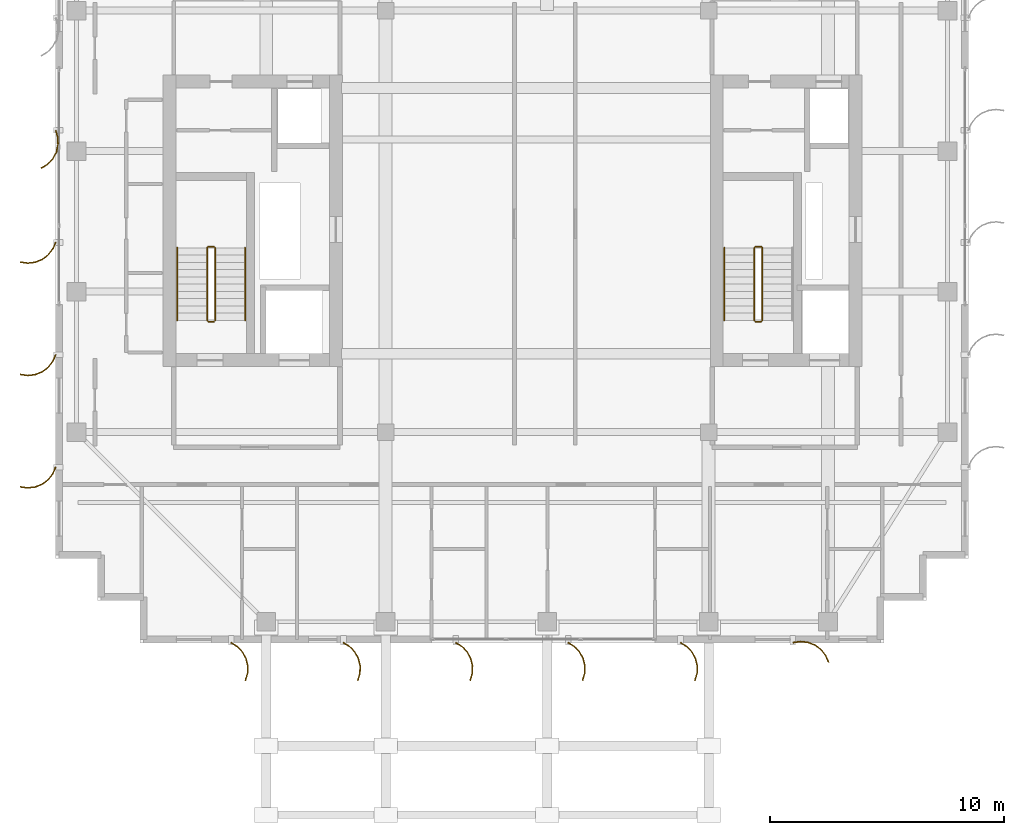
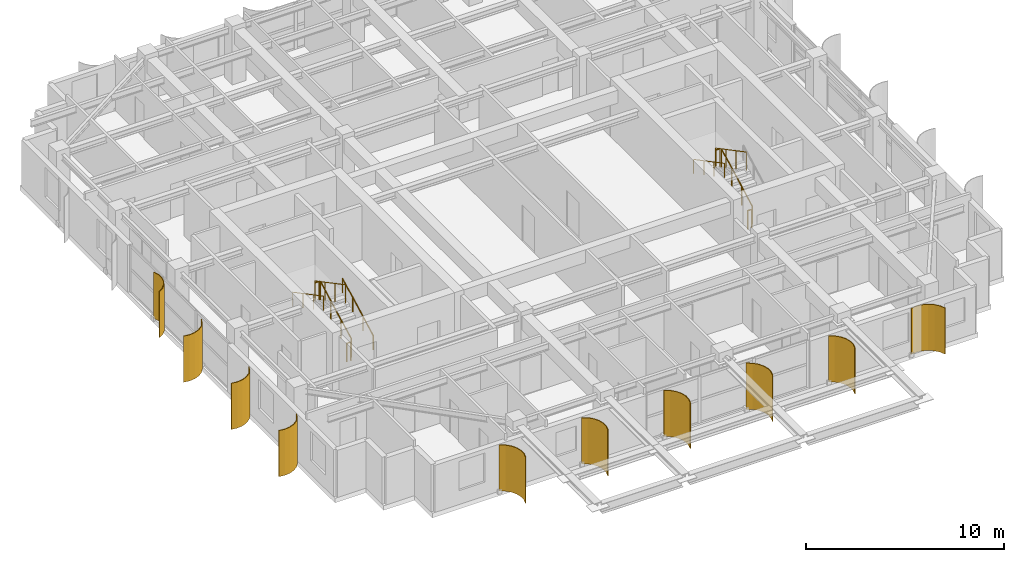
# One storey, part 18 of 19: 11 railings, 10 shading devices.
"""IFC4 building model written with IfcOpenShell, lengths in metres."""

from ifc_helpers import new_model, si_unit, direction, frame, origin, origin_2d, place, context, subcontext, project, spatial, polyline, circle, outline, extrude, source, transform, mapped, material, layer, layer_set, type_object, element, save


model = new_model("IFC4")

# Units and contexts
model_context = context("Model", 3, precision=1e-05, world=origin(), true_north=direction((0.0, 1.0)))
body_context = subcontext(model_context, "Body", "Model", "MODEL_VIEW")
ifc_project = project(units=[si_unit("LENGTHUNIT", "METRE"), si_unit("AREAUNIT", "SQUARE_METRE"), si_unit("VOLUMEUNIT", "CUBIC_METRE"), si_unit("PLANEANGLEUNIT", "RADIAN"), si_unit("MASSUNIT", "GRAM", prefix="KILO")], contexts=[model_context])

# Site, building, storey
site_placement = place(None, origin())
site = spatial("IfcSite", under=ifc_project, at=site_placement, CompositionType="ELEMENT")
building_placement = place(site_placement, origin())
building = spatial("IfcBuilding", under=site, at=building_placement, Name="Khoralis Quay Care Tower", CompositionType="ELEMENT")
storey_placement = place(building_placement, frame((0.0, 0.0, 281.699951171875)))
storey = spatial("IfcBuildingStorey", under=building, at=storey_placement, Name="L74", CompositionType="ELEMENT", Elevation=281.699951171875)

# Railings
ifc_material_1 = material(Name="Brushed stainless steel", Category="steel")
railing_type_1 = type_object("IfcRailingType", Name="RL-GUARD-1150", PredefinedType="GUARDRAIL", material=ifc_material_1)
railing_1_placement = place(storey_placement, frame((9.820068359375, 16.77001953125, 0.16357421875)))
element("IfcRailing", 1, at=railing_1_placement, inside=storey, type_object=railing_type_1, Name="L74 ST-T1 stair guard 1", PredefinedType="GUARDRAIL", context=body_context, shape_type="SweptSolid", body=[
    extrude(circle(Radius=0.02392578125, at=origin_2d()), frame((0.0, 0.0, 1.1259765625), z_axis=(0.0, 0.884348015382, 0.466828220752), x_axis=(-1.0, 0.0, 0.0)), (0.0, 0.0, 1.0), 3.505615234375),
    extrude(circle(Radius=0.02099609375, at=origin_2d()), origin(), (0.0, 0.0, 1.0), 1.101806640625),
    extrude(circle(Radius=0.02099609375, at=origin_2d()), frame((0.0, 1.033447265625, 0.54541015625)), (0.0, 0.0, 1.0), 1.101806640625),
    extrude(circle(Radius=0.02099609375, at=origin_2d()), frame((0.0, 2.066650390625, 1.091064453125)), (0.0, 0.0, 1.0), 1.101806640625),
    extrude(circle(Radius=0.02099609375, at=origin_2d()), frame((0.0, 3.10009765625, 1.636474609375)), (0.0, 0.0, 1.0), 1.101806640625),
])
railing_2_placement = place(storey_placement, frame((9.77001953125, 19.919921875, 1.800048828125)))
element("IfcRailing", 2, at=railing_2_placement, inside=storey, type_object=railing_type_1, Name="L74 ST-T1 stair guard 2", PredefinedType="GUARDRAIL", context=body_context, shape_type="SweptSolid", body=[
    extrude(circle(Radius=0.02392578125, at=origin_2d()), frame((0.0, 0.0, 1.1259765625), z_axis=(-1.0, 0.0, 0.0), x_axis=(0.0, -1.0, 0.0)), (0.0, 0.0, 1.0), 0.239990234375),
    extrude(circle(Radius=0.02099609375, at=origin_2d()), origin(), (0.0, 0.0, 1.0), 1.101806640625),
    extrude(circle(Radius=0.02099609375, at=origin_2d()), frame((-0.239990234375, 0.0, 0.0)), (0.0, 0.0, 1.0), 1.101806640625),
])
railing_3_placement = place(storey_placement, frame((9.47998046875, 19.8701171875, 1.963623046875)))
element("IfcRailing", 3, at=railing_3_placement, inside=storey, type_object=railing_type_1, Name="L74 ST-T1 stair guard 3", PredefinedType="GUARDRAIL", context=body_context, shape_type="SweptSolid", body=[
    extrude(circle(Radius=0.02392578125, at=origin_2d()), frame((0.0, 0.0, 1.1259765625), z_axis=(0.0, -0.884348015382, 0.466828220752), x_axis=(1.0, 0.0, 0.0)), (0.0, 0.0, 1.0), 3.505615234375),
    extrude(circle(Radius=0.02099609375, at=origin_2d()), origin(), (0.0, 0.0, 1.0), 1.101806640625),
    extrude(circle(Radius=0.02099609375, at=origin_2d()), frame((0.0, -1.033447265625, 0.54541015625)), (0.0, 0.0, 1.0), 1.101806640625),
    extrude(circle(Radius=0.02099609375, at=origin_2d()), frame((0.0, -2.066650390625, 1.091064453125)), (0.0, 0.0, 1.0), 1.101806640625),
    extrude(circle(Radius=0.02099609375, at=origin_2d()), frame((0.0, -3.10009765625, 1.636474609375)), (0.0, 0.0, 1.0), 1.101806640625),
])
railing_4_placement = place(storey_placement, frame((9.77001953125, 16.719970703125, 0.0)))
element("IfcRailing", 4, at=railing_4_placement, inside=storey, type_object=railing_type_1, Name="L74 ST-T1 stair guard 4", PredefinedType="GUARDRAIL", context=body_context, shape_type="SweptSolid", body=[
    extrude(circle(Radius=0.02392578125, at=origin_2d()), frame((0.0, 0.0, 1.1259765625), z_axis=(-1.0, 0.0, 0.0), x_axis=(0.0, -1.0, 0.0)), (0.0, 0.0, 1.0), 0.239990234375),
    extrude(circle(Radius=0.02099609375, at=origin_2d()), origin(), (0.0, 0.0, 1.0), 1.101806640625),
    extrude(circle(Radius=0.02099609375, at=origin_2d()), frame((-0.239990234375, 0.0, 0.0)), (0.0, 0.0, 1.0), 1.101806640625),
])
railing_5_placement = place(storey_placement, frame((33.18994140625, 16.77001953125, 0.16357421875)))
element("IfcRailing", 5, at=railing_5_placement, inside=storey, type_object=railing_type_1, Name="L74 ST-T2 stair guard 1", PredefinedType="GUARDRAIL", context=body_context, shape_type="SweptSolid", body=[
    extrude(circle(Radius=0.02392578125, at=origin_2d()), frame((0.0, 0.0, 1.1259765625), z_axis=(0.0, 0.884348015382, 0.466828220752), x_axis=(-1.0, 0.0, 0.0)), (0.0, 0.0, 1.0), 3.505615234375),
    extrude(circle(Radius=0.02099609375, at=origin_2d()), origin(), (0.0, 0.0, 1.0), 1.101806640625),
    extrude(circle(Radius=0.02099609375, at=origin_2d()), frame((0.0, 1.033447265625, 0.54541015625)), (0.0, 0.0, 1.0), 1.101806640625),
    extrude(circle(Radius=0.02099609375, at=origin_2d()), frame((0.0, 2.066650390625, 1.091064453125)), (0.0, 0.0, 1.0), 1.101806640625),
    extrude(circle(Radius=0.02099609375, at=origin_2d()), frame((0.0, 3.10009765625, 1.636474609375)), (0.0, 0.0, 1.0), 1.101806640625),
])
railing_6_placement = place(storey_placement, frame((33.139892578125, 19.919921875, 1.800048828125)))
element("IfcRailing", 6, at=railing_6_placement, inside=storey, type_object=railing_type_1, Name="L74 ST-T2 stair guard 2", PredefinedType="GUARDRAIL", context=body_context, shape_type="SweptSolid", body=[
    extrude(circle(Radius=0.02392578125, at=origin_2d()), frame((0.0, 0.0, 1.1259765625), z_axis=(-1.0, 0.0, 0.0), x_axis=(0.0, -1.0, 0.0)), (0.0, 0.0, 1.0), 0.239990234375),
    extrude(circle(Radius=0.02099609375, at=origin_2d()), origin(), (0.0, 0.0, 1.0), 1.101806640625),
    extrude(circle(Radius=0.02099609375, at=origin_2d()), frame((-0.239990234375, 0.0, 0.0)), (0.0, 0.0, 1.0), 1.101806640625),
])
railing_7_placement = place(storey_placement, frame((32.85009765625, 19.8701171875, 1.963623046875)))
element("IfcRailing", 7, at=railing_7_placement, inside=storey, type_object=railing_type_1, Name="L74 ST-T2 stair guard 3", PredefinedType="GUARDRAIL", context=body_context, shape_type="SweptSolid", body=[
    extrude(circle(Radius=0.02392578125, at=origin_2d()), frame((0.0, 0.0, 1.1259765625), z_axis=(0.0, -0.884348015382, 0.466828220752), x_axis=(1.0, 0.0, 0.0)), (0.0, 0.0, 1.0), 3.505615234375),
    extrude(circle(Radius=0.02099609375, at=origin_2d()), origin(), (0.0, 0.0, 1.0), 1.101806640625),
    extrude(circle(Radius=0.02099609375, at=origin_2d()), frame((0.0, -1.033447265625, 0.54541015625)), (0.0, 0.0, 1.0), 1.101806640625),
    extrude(circle(Radius=0.02099609375, at=origin_2d()), frame((0.0, -2.066650390625, 1.091064453125)), (0.0, 0.0, 1.0), 1.101806640625),
    extrude(circle(Radius=0.02099609375, at=origin_2d()), frame((0.0, -3.10009765625, 1.636474609375)), (0.0, 0.0, 1.0), 1.101806640625),
])
railing_8_placement = place(storey_placement, frame((33.139892578125, 16.719970703125, 0.0)))
element("IfcRailing", 8, at=railing_8_placement, inside=storey, type_object=railing_type_1, Name="L74 ST-T2 stair guard 4", PredefinedType="GUARDRAIL", context=body_context, shape_type="SweptSolid", body=[
    extrude(circle(Radius=0.02392578125, at=origin_2d()), frame((0.0, 0.0, 1.1259765625), z_axis=(-1.0, 0.0, 0.0), x_axis=(0.0, -1.0, 0.0)), (0.0, 0.0, 1.0), 0.239990234375),
    extrude(circle(Radius=0.02099609375, at=origin_2d()), origin(), (0.0, 0.0, 1.0), 1.101806640625),
    extrude(circle(Radius=0.02099609375, at=origin_2d()), frame((-0.239990234375, 0.0, 0.0)), (0.0, 0.0, 1.0), 1.101806640625),
])
railing_type_2 = type_object("IfcRailingType", Name="RL-HAND-900", PredefinedType="HANDRAIL", material=ifc_material_1)
railing_9_placement = place(storey_placement, frame((11.10009765625, 16.77001953125, 0.16357421875)))
element("IfcRailing", 9, at=railing_9_placement, inside=storey, type_object=railing_type_2, Name="L74 ST-T1 stair handrail 1", PredefinedType="HANDRAIL", context=body_context, shape_type="SweptSolid", body=[
    extrude(circle(Radius=0.02392578125, at=origin_2d()), frame((0.0, 0.0, 0.8759765625), z_axis=(0.0, 0.884348015382, 0.466828220752), x_axis=(-1.0, 0.0, 0.0)), (0.0, 0.0, 1.0), 3.505615234375),
    extrude(circle(Radius=0.02099609375, at=origin_2d()), origin(), (0.0, 0.0, 1.0), 0.851806640625),
    extrude(circle(Radius=0.02099609375, at=origin_2d()), frame((0.0, 1.033447265625, 0.54541015625)), (0.0, 0.0, 1.0), 0.851806640625),
    extrude(circle(Radius=0.02099609375, at=origin_2d()), frame((0.0, 2.066650390625, 1.091064453125)), (0.0, 0.0, 1.0), 0.851806640625),
    extrude(circle(Radius=0.02099609375, at=origin_2d()), frame((0.0, 3.10009765625, 1.636474609375)), (0.0, 0.0, 1.0), 0.851806640625),
])
for number, where, name in (
    (10, (8.199951171875, 19.8701171875, 1.963623046875), "L74 ST-T1 stair handrail 2"),
    (11, (31.570068359375, 19.8701171875, 1.963623046875), "L74 ST-T2 stair handrail 2"),
):
    element("IfcRailing", number, at=place(storey_placement, frame(where)), inside=storey, type_object=railing_type_2, Name=name, PredefinedType="HANDRAIL", context=body_context, shape_type="SweptSolid", body=[
        extrude(circle(Radius=0.02392578125, at=origin_2d()), frame((0.0, 0.0, 0.8759765625), z_axis=(0.0, -0.884348015382, 0.466828220752), x_axis=(1.0, 0.0, 0.0)), (0.0, 0.0, 1.0), 3.505615234375),
        extrude(circle(Radius=0.02099609375, at=origin_2d()), origin(), (0.0, 0.0, 1.0), 0.851806640625),
        extrude(circle(Radius=0.02099609375, at=origin_2d()), frame((0.0, -1.033447265625, 0.54541015625)), (0.0, 0.0, 1.0), 0.851806640625),
        extrude(circle(Radius=0.02099609375, at=origin_2d()), frame((0.0, -2.066650390625, 1.091064453125)), (0.0, 0.0, 1.0), 0.851806640625),
        extrude(circle(Radius=0.02099609375, at=origin_2d()), frame((0.0, -3.10009765625, 1.636474609375)), (0.0, 0.0, 1.0), 0.851806640625),
    ])

# Shading devices
ifc_material_2 = material(Name="Brushed pale anodised aluminium", Category="aluminium")
ifc_layer = layer(ifc_material_2, 0.044921875)
ifc_layer_set = layer_set([ifc_layer], Name="Brushed pale anodised aluminium")
shading_device_type = type_object("IfcShadingDeviceType", Name="SHD-FIN-1250", PredefinedType="USERDEFINED", material=ifc_layer_set)
shared_shape_1 = source(origin(), body_context, "Body", "SweptSolid", [
    extrude(outline(polyline([(0.0, 0.0), (0.17041015625, 0.2783203125), (0.4072265625, 0.5029296875), (0.694091796875, 0.658447265625), (1.01123046875, 0.734619140625), (1.33740234375, 0.72607421875), (1.650390625, 0.633544921875), (1.632080078125, 0.59228515625), (1.330322265625, 0.681640625), (1.015869140625, 0.68994140625), (0.710205078125, 0.616455078125), (0.43359375, 0.466552734375), (0.20556640625, 0.25), (0.041015625, -0.018310546875), (0.0, 0.0)])), origin(), (0.0, 0.0, 1.0), 2.840087890625),
])
for number, where, z_axis, x_axis, name in (
    (12, (10.5, 3.030029296875, 0.02001953125), (0.0, 0.0, 1.0), (0.0, -1.0, 0.0), "L74 Curved Solar Fin P1E0-01"),
    (13, (15.300048828125, 3.030029296875, 0.02001953125), (0.0, 0.0, 1.0), (0.0, -1.0, 0.0), "L74 Curved Solar Fin P1E0-02"),
    (14, (20.10009765625, 3.030029296875, 0.02001953125), (0.0, 0.0, 1.0), (0.0, -1.0, 0.0), "L74 Curved Solar Fin P1E0-03"),
    (15, (24.89990234375, 3.030029296875, 0.02001953125), (0.0, 0.0, 1.0), (0.0, -1.0, 0.0), "L74 Curved Solar Fin P1E0-04"),
    (16, (29.699951171875, 3.030029296875, 0.02001953125), (0.0, 0.0, 1.0), (0.0, -1.0, 0.0), "L74 Curved Solar Fin P1E0-05"),
):
    element("IfcShadingDevice", number, at=place(storey_placement, frame(where, z_axis=z_axis, x_axis=x_axis)), inside=storey, type_object=shading_device_type, Name=name, ObjectType="FIN", PredefinedType="USERDEFINED", context=body_context, shape_type="MappedRepresentation", body=[
        mapped(shared_shape_1, transform((0.0, 0.0, 0.0), scale=1.0)),
    ])
shared_shape_2 = source(origin(), body_context, "Body", "SweptSolid", [
    extrude(outline(polyline([(0.0, 0.0), (-0.04833984375, 0.32275390625), (-0.01123046875, 0.64697265625), (0.1083984375, 0.950439453125), (0.302490234375, 1.212890625), (0.557861328125, 1.416015625), (0.85693359375, 1.546142578125), (0.869384765625, 1.5029296875), (0.5810546875, 1.37744140625), (0.334716796875, 1.181640625), (0.147705078125, 0.9287109375), (0.032470703125, 0.635986328125), (-0.003173828125, 0.323486328125), (0.043212890625, 0.012451171875), (0.0, 0.0)])), origin(), (0.0, 0.0, 1.0), 2.840087890625),
])
shading_device_1_placement = place(storey_placement, frame((34.5, 3.030029296875, 0.02001953125), z_axis=(0.0, 0.0, 1.0), x_axis=(0.0, -1.0, 0.0)))
element("IfcShadingDevice", 17, at=shading_device_1_placement, inside=storey, type_object=shading_device_type, Name="L74 Curved Solar Fin P1E0-06", ObjectType="FIN", PredefinedType="USERDEFINED", context=body_context, shape_type="MappedRepresentation", body=[
    mapped(shared_shape_2, transform((0.0, 0.0, 0.0), scale=1.0)),
])
shared_shape_3 = source(origin(), body_context, "Body", "SweptSolid", [
    extrude(outline(polyline([(0.0, 0.0), (0.130126953125, 0.29931640625), (0.333251953125, 0.5546875), (0.595458984375, 0.748779296875), (0.899169921875, 0.868408203125), (1.223388671875, 0.9052734375), (1.546142578125, 0.85693359375), (1.53369140625, 0.813720703125), (1.22265625, 0.8603515625), (0.91015625, 0.82470703125), (0.617431640625, 0.70947265625), (0.364501953125, 0.522216796875), (0.168701171875, 0.276123046875), (0.043212890625, -0.012451171875), (0.0, 0.0)])), origin(), (0.0, 0.0, 1.0), 2.840087890625),
])
for number, where, z_axis, x_axis, name in (
    (18, (3.030029296875, 20.10009765625, 0.02001953125), (0.0, 0.0, 1.0), (-1.0, 0.0, 0.0), "L74 Curved Solar Fin P1E15-04"),
    (19, (3.030029296875, 15.300048828125, 0.02001953125), (0.0, 0.0, 1.0), (-1.0, 0.0, 0.0), "L74 Curved Solar Fin P1E15-05"),
    (20, (3.030029296875, 10.5, 0.02001953125), (0.0, 0.0, 1.0), (-1.0, 0.0, 0.0), "L74 Curved Solar Fin P1E15-06"),
):
    element("IfcShadingDevice", number, at=place(storey_placement, frame(where, z_axis=z_axis, x_axis=x_axis)), inside=storey, type_object=shading_device_type, Name=name, ObjectType="FIN", PredefinedType="USERDEFINED", context=body_context, shape_type="MappedRepresentation", body=[
        mapped(shared_shape_3, transform((0.0, 0.0, 0.0), scale=1.0)),
    ])
shared_shape_4 = source(origin(), body_context, "Body", "SweptSolid", [
    extrude(outline(polyline([(0.0, 0.0), (-0.0927734375, 0.31298828125), (-0.101318359375, 0.63916015625), (-0.025146484375, 0.956298828125), (0.130615234375, 1.2431640625), (0.355224609375, 1.479736328125), (0.633544921875, 1.650390625), (0.65185546875, 1.609130859375), (0.383544921875, 1.44482421875), (0.1669921875, 1.216796875), (0.01708984375, 0.940185546875), (-0.056396484375, 0.63427734375), (-0.04833984375, 0.31982421875), (0.041015625, 0.018310546875), (0.0, 0.0)])), origin(), (0.0, 0.0, 1.0), 2.840087890625),
])
shading_device_2_placement = place(storey_placement, frame((3.030029296875, 24.89990234375, 0.02001953125), z_axis=(0.0, 0.0, 1.0), x_axis=(-1.0, 0.0, 0.0)))
element("IfcShadingDevice", 21, at=shading_device_2_placement, inside=storey, type_object=shading_device_type, Name="L74 Curved Solar Fin P1E15-03", ObjectType="FIN", PredefinedType="USERDEFINED", context=body_context, shape_type="MappedRepresentation", body=[
    mapped(shared_shape_4, transform((0.0, 0.0, 0.0), scale=1.0)),
])

save(model, "model.ifc")
